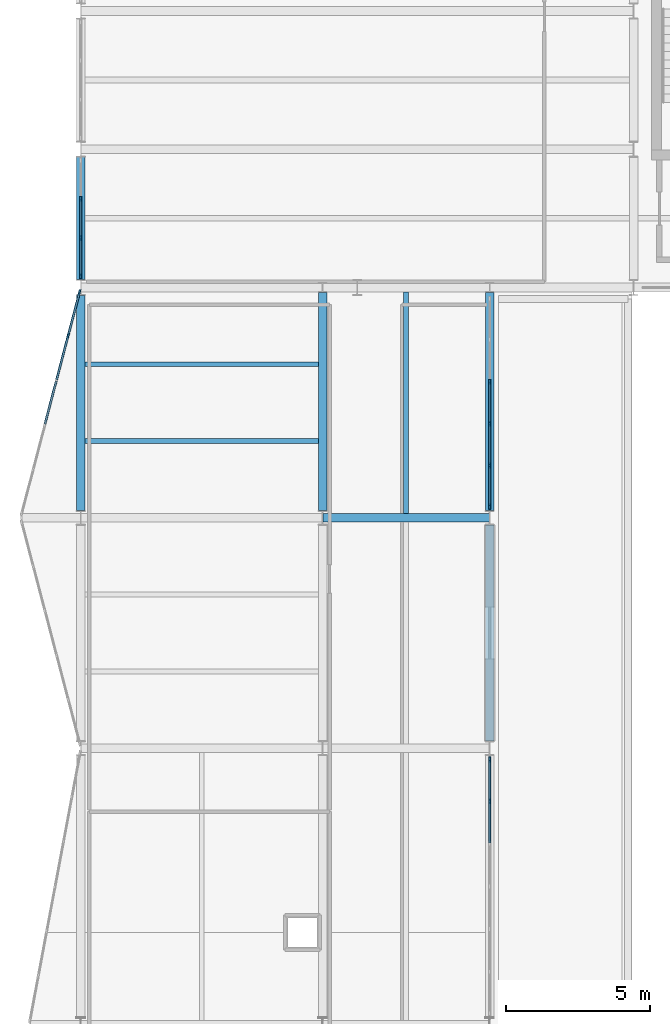
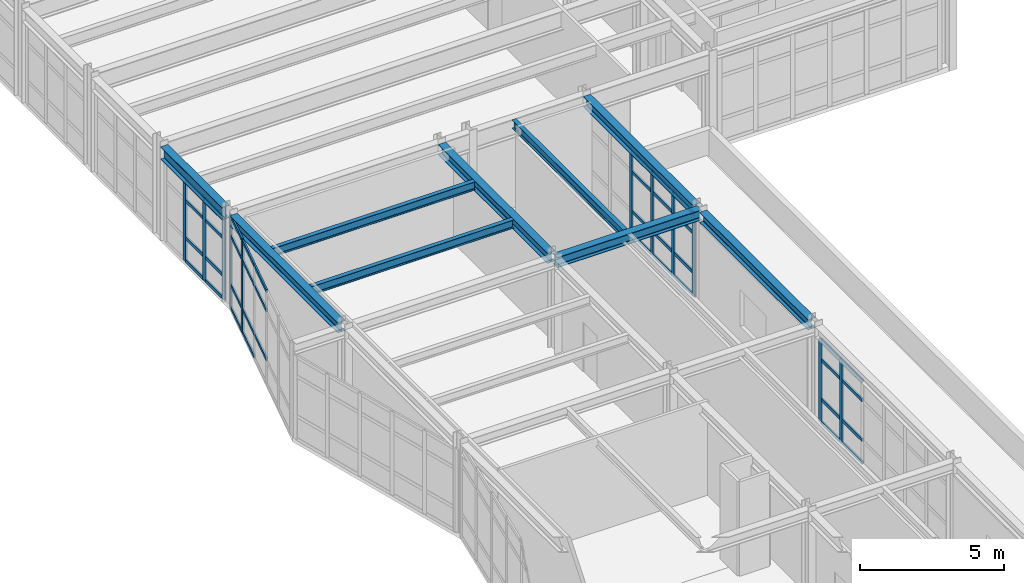
# One storey, part 21 of 64: 50 members, 9 beams, 4 elements without a shape of their own.
"""IFC4 building model written with IfcOpenShell, lengths in metres."""

from ifc_helpers import new_model, si_unit, direction, frame, origin, origin_2d, place, context, subcontext, project, spatial, rectangle, i_section, extrude, material, layer, layer_set, material_profile, profile_set, type_object, element, aggregate, save


model = new_model("IFC4")

# Units and contexts
model_context = context("Model", 3, precision=1e-05, world=origin(), true_north=direction((0.0, 1.0)))
body_context = subcontext(model_context, "Body", "Model", "MODEL_VIEW")
ifc_project = project(units=[si_unit("LENGTHUNIT", "METRE"), si_unit("AREAUNIT", "SQUARE_METRE"), si_unit("VOLUMEUNIT", "CUBIC_METRE"), si_unit("PLANEANGLEUNIT", "RADIAN"), si_unit("MASSUNIT", "GRAM", prefix="KILO")], contexts=[model_context])

# Site, building, storey
site_placement = place(None, origin())
site = spatial("IfcSite", under=ifc_project, at=site_placement, CompositionType="ELEMENT")
building_placement = place(site_placement, origin())
building = spatial("IfcBuilding", under=site, at=building_placement, Name="Nordkorset Police Headquarters", CompositionType="ELEMENT")
storey_placement = place(building_placement, frame((0.0, 0.0, 17.85009765625)))
storey = spatial("IfcBuildingStorey", under=building, at=storey_placement, Name="L04", CompositionType="ELEMENT", Elevation=17.85009765625)

# Beams
ifc_material_1 = material(Name="Steel S355J2", Category="steel")
ifc_material_profile_1 = material_profile(ifc_material_1, i_section(OverallWidth=0.169921875, OverallDepth=0.360107421875, WebThickness=0.008056640625, FlangeThickness=0.0126953125, FilletRadius=0.01806640625, at=origin_2d()), Name="IPE 360")
ifc_profile_set_1 = profile_set([ifc_material_profile_1], Name="Steel S355J2")
beam_type_1 = type_object("IfcBeamType", Name="Beam_IPE_360", PredefinedType="BEAM", material=ifc_profile_set_1)
for number, where, z_axis, x_axis, name in (
    (1, (0.14990234375, 77.86669921875, 3.804931640625), (1.0, 0.0, 0.0), (0.0, 1.0, 0.0), "Composite Floor Beam V3 L04 0-5-1"),
    (2, (0.14990234375, 80.533447265625, 3.804931640625), (1.0, 0.0, 0.0), (0.0, 1.0, 0.0), "Composite Floor Beam V3 L04 0-5-2"),
):
    element("IfcBeam", number, at=place(storey_placement, frame(where, z_axis=z_axis, x_axis=x_axis)), inside=storey, type_object=beam_type_1, Name=name, PredefinedType="BEAM", context=body_context, shape_type="SweptSolid", body=[
        extrude(i_section(OverallWidth=0.169921875, OverallDepth=0.360107421875, WebThickness=0.008056640625, FlangeThickness=0.0126953125, FilletRadius=0.01806640625, at=origin_2d()), origin(), (0.0, 0.0, 1.0), 8.10009765625),
    ])
beam_1_placement = place(storey_placement, frame((11.300048828125, 75.35009765625, 3.804931640625), z_axis=(0.0, 1.0, 0.0), x_axis=(-1.0, 0.0, 0.0)))
element("IfcBeam", 3, at=beam_1_placement, inside=storey, type_object=beam_type_1, Name="Composite Floor Beam V3 L04 1-5-1", PredefinedType="BEAM", context=body_context, shape_type="SweptSolid", body=[
    extrude(i_section(OverallWidth=0.169921875, OverallDepth=0.360107421875, WebThickness=0.008056640625, FlangeThickness=0.0126953125, FilletRadius=0.01806640625, at=origin_2d()), origin(), (0.0, 0.0, 1.0), 7.699951171875),
])

# Curtain wall, members
ifc_material_2 = material(Name="Aluminium alloy AW-6060", Category="aluminium")
ifc_layer_1 = layer(ifc_material_2, 0.179931640625, Name="Aluminium alloy AW-6060")
ifc_layer_set_1 = layer_set([ifc_layer_1], Name="Aluminium alloy AW-6060")
curtain_wall_type_1 = type_object("IfcCurtainWallType", Name="CW_Unit_408x343", PredefinedType="USERDEFINED", material=ifc_layer_set_1)
curtain_wall_1_placement = place(storey_placement, origin())
curtain_wall_1 = element("IfcCurtainWall", 4, at=curtain_wall_1_placement, inside=storey, type_object=curtain_wall_type_1, Name="Unitised Curtain Wall L04 V1W-0", ObjectType="UNITISED CURTAIN WALL", PredefinedType="USERDEFINED")
ifc_material_3 = material(Name="Aluminium alloy AW-6060", Category="aluminium")
ifc_material_profile_2 = material_profile(ifc_material_3, rectangle(XDim=0.06494140625, YDim=0.179931640625, at=origin_2d()), Name="ALU MULL 65x180")
ifc_profile_set_2 = profile_set([ifc_material_profile_2], Name="Aluminium alloy AW-6060")
member_type_1 = type_object("IfcMemberType", Name="CW_Mullion_65x180", PredefinedType="MULLION", material=ifc_profile_set_2)
member_1_placement = place(storey_placement, frame((0.0, 83.592529296875, 0.0), z_axis=(0.0, 0.0, 1.0), x_axis=(-1.0, 0.0, 0.0)))
member_1 = element("IfcMember", 5, at=member_1_placement, type_object=member_type_1, Name="CW-89 mullion 1", PredefinedType="MULLION", context=body_context, shape_type="SweptSolid", body=[
    extrude(rectangle(XDim=0.06494140625, YDim=0.179931640625, at=origin_2d()), origin(), (0.0, 0.0, 1.0), 3.429931640625),
])
member_2_placement = place(storey_placement, frame((0.0, 84.919921875, 0.0), z_axis=(0.0, 0.0, 1.0), x_axis=(-1.0, 0.0, 0.0)))
member_2 = element("IfcMember", 6, at=member_2_placement, type_object=member_type_1, Name="CW-89 mullion 2", PredefinedType="MULLION", context=body_context, shape_type="SweptSolid", body=[
    extrude(rectangle(XDim=0.06494140625, YDim=0.179931640625, at=origin_2d()), origin(), (0.0, 0.0, 1.0), 3.429931640625),
])
member_3_placement = place(storey_placement, frame((0.0, 86.280029296875, 0.0), z_axis=(0.0, 0.0, 1.0), x_axis=(-1.0, 0.0, 0.0)))
member_3 = element("IfcMember", 7, at=member_3_placement, type_object=member_type_1, Name="CW-89 mullion 3", PredefinedType="MULLION", context=body_context, shape_type="SweptSolid", body=[
    extrude(rectangle(XDim=0.06494140625, YDim=0.179931640625, at=origin_2d()), origin(), (0.0, 0.0, 1.0), 3.429931640625),
])

ifc_material_4 = material(Name="Aluminium alloy AW-6060", Category="aluminium")
ifc_layer_2 = layer(ifc_material_4, 0.179931640625, Name="Aluminium alloy AW-6060")
ifc_layer_set_2 = layer_set([ifc_layer_2], Name="Aluminium alloy AW-6060")
curtain_wall_type_2 = type_object("IfcCurtainWallType", Name="CW_Unit_888x353", PredefinedType="USERDEFINED", material=ifc_layer_set_2)
curtain_wall_2_placement = place(storey_placement, origin())
curtain_wall_2 = element("IfcCurtainWall", 8, at=curtain_wall_2_placement, inside=storey, type_object=curtain_wall_type_2, Name="Unitised Curtain Wall L04 V3E-3", ObjectType="UNITISED CURTAIN WALL", PredefinedType="USERDEFINED")
member_4_placement = place(storey_placement, frame((14.199951171875, 65.360107421875, 0.0), z_axis=(0.0, 0.0, 1.0), x_axis=(-1.0, 0.0, 0.0)))
member_4 = element("IfcMember", 9, at=member_4_placement, type_object=member_type_1, Name="CW-52 mullion 6", PredefinedType="MULLION", context=body_context, shape_type="SweptSolid", body=[
    extrude(rectangle(XDim=0.06494140625, YDim=0.179931640625, at=origin_2d()), origin(), (0.0, 0.0, 1.0), 3.52978515625),
])
member_5_placement = place(storey_placement, frame((14.199951171875, 66.8076171875, 0.0), z_axis=(0.0, 0.0, 1.0), x_axis=(-1.0, 0.0, 0.0)))
member_5 = element("IfcMember", 10, at=member_5_placement, type_object=member_type_1, Name="CW-52 mullion 7", PredefinedType="MULLION", context=body_context, shape_type="SweptSolid", body=[
    extrude(rectangle(XDim=0.06494140625, YDim=0.179931640625, at=origin_2d()), origin(), (0.0, 0.0, 1.0), 3.52978515625),
])

ifc_material_5 = material(Name="Aluminium alloy AW-6060", Category="aluminium")
ifc_layer_3 = layer(ifc_material_5, 0.179931640625, Name="Aluminium alloy AW-6060")
ifc_layer_set_3 = layer_set([ifc_layer_3], Name="Aluminium alloy AW-6060")
curtain_wall_type_3 = type_object("IfcCurtainWallType", Name="CW_Unit_799x392", PredefinedType="USERDEFINED", material=ifc_layer_set_3)
curtain_wall_3_placement = place(storey_placement, origin())
curtain_wall_3 = element("IfcCurtainWall", 11, at=curtain_wall_3_placement, inside=storey, type_object=curtain_wall_type_3, Name="Unitised Curtain Wall L04 V3W-5", ObjectType="UNITISED CURTAIN WALL", PredefinedType="USERDEFINED")
member_6_placement = place(storey_placement, frame((-0.44140625, 81.518798828125, 0.0), z_axis=(0.0, 0.0, 1.0), x_axis=(-0.967231265013, 0.25389698695, 0.0)))
member_6 = element("IfcMember", 12, at=member_6_placement, type_object=member_type_1, Name="CW-68 mullion 5", PredefinedType="MULLION", context=body_context, shape_type="SweptSolid", body=[
    extrude(rectangle(XDim=0.06494140625, YDim=0.179931640625, at=origin_2d()), origin(), (0.0, 0.0, 1.0), 3.919921875),
])
member_7_placement = place(storey_placement, frame((-0.043701171875, 83.033203125, 0.0), z_axis=(0.0, 0.0, 1.0), x_axis=(-0.967231265013, 0.25389698695, 0.0)))
member_7 = element("IfcMember", 13, at=member_7_placement, type_object=member_type_1, Name="CW-68 mullion 6", PredefinedType="MULLION", context=body_context, shape_type="SweptSolid", body=[
    extrude(rectangle(XDim=0.06494140625, YDim=0.179931640625, at=origin_2d()), origin(), (0.0, 0.0, 1.0), 3.919921875),
])

ifc_material_6 = material(Name="Aluminium alloy AW-6060", Category="aluminium")
ifc_layer_4 = layer(ifc_material_6, 0.179931640625, Name="Aluminium alloy AW-6060")
ifc_layer_set_4 = layer_set([ifc_layer_4], Name="Aluminium alloy AW-6060")
curtain_wall_type_4 = type_object("IfcCurtainWallType", Name="CW_Unit_728x352", PredefinedType="USERDEFINED", material=ifc_layer_set_4)
curtain_wall_4_placement = place(storey_placement, origin())
curtain_wall_4 = element("IfcCurtainWall", 14, at=curtain_wall_4_placement, inside=storey, type_object=curtain_wall_type_4, Name="Unitised Curtain Wall L04 V3E-5", ObjectType="UNITISED CURTAIN WALL", PredefinedType="USERDEFINED")
member_8_placement = place(storey_placement, frame((14.199951171875, 75.592529296875, 0.0), z_axis=(0.0, 0.0, 1.0), x_axis=(-1.0, 0.0, 0.0)))
member_8 = element("IfcMember", 15, at=member_8_placement, type_object=member_type_1, Name="CW-79 mullion 1", PredefinedType="MULLION", context=body_context, shape_type="SweptSolid", body=[
    extrude(rectangle(XDim=0.06494140625, YDim=0.179931640625, at=origin_2d()), origin(), (0.0, 0.0, 1.0), 3.52490234375),
])
member_9_placement = place(storey_placement, frame((14.199951171875, 77.01611328125, 0.0), z_axis=(0.0, 0.0, 1.0), x_axis=(-1.0, 0.0, 0.0)))
member_9 = element("IfcMember", 16, at=member_9_placement, type_object=member_type_1, Name="CW-79 mullion 2", PredefinedType="MULLION", context=body_context, shape_type="SweptSolid", body=[
    extrude(rectangle(XDim=0.06494140625, YDim=0.179931640625, at=origin_2d()), origin(), (0.0, 0.0, 1.0), 3.52490234375),
])
member_10_placement = place(storey_placement, frame((14.199951171875, 78.471923828125, 0.0), z_axis=(0.0, 0.0, 1.0), x_axis=(-1.0, 0.0, 0.0)))
member_10 = element("IfcMember", 17, at=member_10_placement, type_object=member_type_1, Name="CW-79 mullion 3", PredefinedType="MULLION", context=body_context, shape_type="SweptSolid", body=[
    extrude(rectangle(XDim=0.06494140625, YDim=0.179931640625, at=origin_2d()), origin(), (0.0, 0.0, 1.0), 3.52490234375),
])
member_11_placement = place(storey_placement, frame((14.199951171875, 79.927978515625, 0.0), z_axis=(0.0, 0.0, 1.0), x_axis=(-1.0, 0.0, 0.0)))
member_11 = element("IfcMember", 18, at=member_11_placement, type_object=member_type_1, Name="CW-79 mullion 4", PredefinedType="MULLION", context=body_context, shape_type="SweptSolid", body=[
    extrude(rectangle(XDim=0.06494140625, YDim=0.179931640625, at=origin_2d()), origin(), (0.0, 0.0, 1.0), 3.52490234375),
])

# Member
ifc_material_7 = material(Name="Aluminium alloy AW-6060", Category="aluminium")
ifc_material_profile_3 = material_profile(ifc_material_7, rectangle(XDim=0.06494140625, YDim=0.139892578125, at=origin_2d()), Name="ALU TRAN 65x140")
ifc_profile_set_3 = profile_set([ifc_material_profile_3], Name="Aluminium alloy AW-6060")
member_type_2 = type_object("IfcMemberType", Name="CW_Transom_65x140", PredefinedType="USERDEFINED", material=ifc_profile_set_3)
member_12_placement = place(storey_placement, frame((0.0, 83.625, 0.032470703125), z_axis=(0.0, 1.0, 0.0), x_axis=(-1.0, 0.0, 0.0)))
member_12 = element("IfcMember", 19, at=member_12_placement, type_object=member_type_2, Name="CW-89 transom 1.1", ObjectType="TRANSOM", PredefinedType="USERDEFINED", context=body_context, shape_type="SweptSolid", body=[
    extrude(rectangle(XDim=0.06494140625, YDim=0.139892578125, at=origin_2d()), origin(), (0.0, 0.0, 1.0), 1.262451171875),
])

member_13_placement = place(storey_placement, frame((0.0, 83.625, 1.0), z_axis=(0.0, 1.0, 0.0), x_axis=(-1.0, 0.0, 0.0)))
member_13 = element("IfcMember", 20, at=member_13_placement, type_object=member_type_2, Name="CW-89 transom 1.2", ObjectType="TRANSOM", PredefinedType="USERDEFINED", context=body_context, shape_type="SweptSolid", body=[
    extrude(rectangle(XDim=0.06494140625, YDim=0.139892578125, at=origin_2d()), origin(), (0.0, 0.0, 1.0), 1.262451171875),
])

member_14_placement = place(storey_placement, frame((0.0, 83.625, 2.579833984375), z_axis=(0.0, 1.0, 0.0), x_axis=(-1.0, 0.0, 0.0)))
member_14 = element("IfcMember", 21, at=member_14_placement, type_object=member_type_2, Name="CW-89 transom 1.3", ObjectType="TRANSOM", PredefinedType="USERDEFINED", context=body_context, shape_type="SweptSolid", body=[
    extrude(rectangle(XDim=0.06494140625, YDim=0.139892578125, at=origin_2d()), origin(), (0.0, 0.0, 1.0), 1.262451171875),
])

member_15_placement = place(storey_placement, frame((0.0, 83.625, 3.3974609375), z_axis=(0.0, 1.0, 0.0), x_axis=(-1.0, 0.0, 0.0)))
member_15 = element("IfcMember", 22, at=member_15_placement, type_object=member_type_2, Name="CW-89 transom 1.4", ObjectType="TRANSOM", PredefinedType="USERDEFINED", context=body_context, shape_type="SweptSolid", body=[
    extrude(rectangle(XDim=0.06494140625, YDim=0.139892578125, at=origin_2d()), origin(), (0.0, 0.0, 1.0), 1.262451171875),
])

member_16_placement = place(storey_placement, frame((0.0, 84.952392578125, 0.032470703125), z_axis=(0.0, 1.0, 0.0), x_axis=(-1.0, 0.0, 0.0)))
member_16 = element("IfcMember", 23, at=member_16_placement, type_object=member_type_2, Name="CW-89 transom 2.1", ObjectType="TRANSOM", PredefinedType="USERDEFINED", context=body_context, shape_type="SweptSolid", body=[
    extrude(rectangle(XDim=0.06494140625, YDim=0.139892578125, at=origin_2d()), origin(), (0.0, 0.0, 1.0), 1.295166015625),
])

member_17_placement = place(storey_placement, frame((0.0, 84.952392578125, 1.0), z_axis=(0.0, 1.0, 0.0), x_axis=(-1.0, 0.0, 0.0)))
member_17 = element("IfcMember", 24, at=member_17_placement, type_object=member_type_2, Name="CW-89 transom 2.2", ObjectType="TRANSOM", PredefinedType="USERDEFINED", context=body_context, shape_type="SweptSolid", body=[
    extrude(rectangle(XDim=0.06494140625, YDim=0.139892578125, at=origin_2d()), origin(), (0.0, 0.0, 1.0), 1.295166015625),
])

member_18_placement = place(storey_placement, frame((0.0, 84.952392578125, 2.579833984375), z_axis=(0.0, 1.0, 0.0), x_axis=(-1.0, 0.0, 0.0)))
member_18 = element("IfcMember", 25, at=member_18_placement, type_object=member_type_2, Name="CW-89 transom 2.3", ObjectType="TRANSOM", PredefinedType="USERDEFINED", context=body_context, shape_type="SweptSolid", body=[
    extrude(rectangle(XDim=0.06494140625, YDim=0.139892578125, at=origin_2d()), origin(), (0.0, 0.0, 1.0), 1.295166015625),
])

member_19_placement = place(storey_placement, frame((0.0, 84.952392578125, 3.3974609375), z_axis=(0.0, 1.0, 0.0), x_axis=(-1.0, 0.0, 0.0)))
member_19 = element("IfcMember", 26, at=member_19_placement, type_object=member_type_2, Name="CW-89 transom 2.4", ObjectType="TRANSOM", PredefinedType="USERDEFINED", context=body_context, shape_type="SweptSolid", body=[
    extrude(rectangle(XDim=0.06494140625, YDim=0.139892578125, at=origin_2d()), origin(), (0.0, 0.0, 1.0), 1.295166015625),
])

aggregate(curtain_wall_1, [member_1, member_2, member_3, member_12, member_13, member_14, member_15, member_16, member_17, member_18, member_19])

member_20_placement = place(storey_placement, frame((14.199951171875, 63.91259765625, 0.032470703125), z_axis=(0.0, 1.0, 0.0), x_axis=(-1.0, 0.0, 0.0)))
member_20 = element("IfcMember", 27, at=member_20_placement, type_object=member_type_2, Name="CW-52 transom 5.1", ObjectType="TRANSOM", PredefinedType="USERDEFINED", context=body_context, shape_type="SweptSolid", body=[
    extrude(rectangle(XDim=0.06494140625, YDim=0.139892578125, at=origin_2d()), origin(), (0.0, 0.0, 1.0), 1.414794921875),
])

member_21_placement = place(storey_placement, frame((14.199951171875, 63.91259765625, 1.0), z_axis=(0.0, 1.0, 0.0), x_axis=(-1.0, 0.0, 0.0)))
member_21 = element("IfcMember", 28, at=member_21_placement, type_object=member_type_2, Name="CW-52 transom 5.2", ObjectType="TRANSOM", PredefinedType="USERDEFINED", context=body_context, shape_type="SweptSolid", body=[
    extrude(rectangle(XDim=0.06494140625, YDim=0.139892578125, at=origin_2d()), origin(), (0.0, 0.0, 1.0), 1.414794921875),
])

member_22_placement = place(storey_placement, frame((14.199951171875, 63.91259765625, 2.679931640625), z_axis=(0.0, 1.0, 0.0), x_axis=(-1.0, 0.0, 0.0)))
member_22 = element("IfcMember", 29, at=member_22_placement, type_object=member_type_2, Name="CW-52 transom 5.3", ObjectType="TRANSOM", PredefinedType="USERDEFINED", context=body_context, shape_type="SweptSolid", body=[
    extrude(rectangle(XDim=0.06494140625, YDim=0.139892578125, at=origin_2d()), origin(), (0.0, 0.0, 1.0), 1.414794921875),
])

member_23_placement = place(storey_placement, frame((14.199951171875, 63.91259765625, 3.497314453125), z_axis=(0.0, 1.0, 0.0), x_axis=(-1.0, 0.0, 0.0)))
member_23 = element("IfcMember", 30, at=member_23_placement, type_object=member_type_2, Name="CW-52 transom 5.4", ObjectType="TRANSOM", PredefinedType="USERDEFINED", context=body_context, shape_type="SweptSolid", body=[
    extrude(rectangle(XDim=0.06494140625, YDim=0.139892578125, at=origin_2d()), origin(), (0.0, 0.0, 1.0), 1.414794921875),
])

member_24_placement = place(storey_placement, frame((14.199951171875, 65.392578125, 0.032470703125), z_axis=(0.0, 1.0, 0.0), x_axis=(-1.0, 0.0, 0.0)))
member_24 = element("IfcMember", 31, at=member_24_placement, type_object=member_type_2, Name="CW-52 transom 6.1", ObjectType="TRANSOM", PredefinedType="USERDEFINED", context=body_context, shape_type="SweptSolid", body=[
    extrude(rectangle(XDim=0.06494140625, YDim=0.139892578125, at=origin_2d()), origin(), (0.0, 0.0, 1.0), 1.38232421875),
])

member_25_placement = place(storey_placement, frame((14.199951171875, 65.392578125, 1.0), z_axis=(0.0, 1.0, 0.0), x_axis=(-1.0, 0.0, 0.0)))
member_25 = element("IfcMember", 32, at=member_25_placement, type_object=member_type_2, Name="CW-52 transom 6.2", ObjectType="TRANSOM", PredefinedType="USERDEFINED", context=body_context, shape_type="SweptSolid", body=[
    extrude(rectangle(XDim=0.06494140625, YDim=0.139892578125, at=origin_2d()), origin(), (0.0, 0.0, 1.0), 1.38232421875),
])

member_26_placement = place(storey_placement, frame((14.199951171875, 65.392578125, 2.679931640625), z_axis=(0.0, 1.0, 0.0), x_axis=(-1.0, 0.0, 0.0)))
member_26 = element("IfcMember", 33, at=member_26_placement, type_object=member_type_2, Name="CW-52 transom 6.3", ObjectType="TRANSOM", PredefinedType="USERDEFINED", context=body_context, shape_type="SweptSolid", body=[
    extrude(rectangle(XDim=0.06494140625, YDim=0.139892578125, at=origin_2d()), origin(), (0.0, 0.0, 1.0), 1.38232421875),
])

member_27_placement = place(storey_placement, frame((14.199951171875, 65.392578125, 3.497314453125), z_axis=(0.0, 1.0, 0.0), x_axis=(-1.0, 0.0, 0.0)))
member_27 = element("IfcMember", 34, at=member_27_placement, type_object=member_type_2, Name="CW-52 transom 6.4", ObjectType="TRANSOM", PredefinedType="USERDEFINED", context=body_context, shape_type="SweptSolid", body=[
    extrude(rectangle(XDim=0.06494140625, YDim=0.139892578125, at=origin_2d()), origin(), (0.0, 0.0, 1.0), 1.38232421875),
])

aggregate(curtain_wall_2, [member_4, member_5, member_20, member_21, member_22, member_23, member_24, member_25, member_26, member_27])

member_28_placement = place(storey_placement, frame((-1.24462890625, 78.45849609375, 1.0), z_axis=(0.253834812056, 0.967247583708, 0.0), x_axis=(-0.967247583708, 0.253834812056, 0.0)))
member_28 = element("IfcMember", 35, at=member_28_placement, type_object=member_type_2, Name="CW-68 transom 3.2", ObjectType="TRANSOM", PredefinedType="USERDEFINED", context=body_context, shape_type="SweptSolid", body=[
    extrude(rectangle(XDim=0.06494140625, YDim=0.139892578125, at=origin_2d()), origin(), (0.0, 0.0, 1.0), 1.533203125),
])

member_29_placement = place(storey_placement, frame((-1.24462890625, 78.45849609375, 3.06982421875), z_axis=(0.253834812056, 0.967247583708, 0.0), x_axis=(-0.967247583708, 0.253834812056, 0.0)))
member_29 = element("IfcMember", 36, at=member_29_placement, type_object=member_type_2, Name="CW-68 transom 3.3", ObjectType="TRANSOM", PredefinedType="USERDEFINED", context=body_context, shape_type="SweptSolid", body=[
    extrude(rectangle(XDim=0.06494140625, YDim=0.139892578125, at=origin_2d()), origin(), (0.0, 0.0, 1.0), 1.533203125),
])

member_30_placement = place(storey_placement, frame((-1.24462890625, 78.45849609375, 3.887451171875), z_axis=(0.253834812056, 0.967247583708, 0.0), x_axis=(-0.967247583708, 0.253834812056, 0.0)))
member_30 = element("IfcMember", 37, at=member_30_placement, type_object=member_type_2, Name="CW-68 transom 3.4", ObjectType="TRANSOM", PredefinedType="USERDEFINED", context=body_context, shape_type="SweptSolid", body=[
    extrude(rectangle(XDim=0.06494140625, YDim=0.139892578125, at=origin_2d()), origin(), (0.0, 0.0, 1.0), 1.533203125),
])

member_31_placement = place(storey_placement, frame((-0.8388671875, 80.00439453125, 0.032470703125), z_axis=(0.253983786522, 0.967208476071, 0.0), x_axis=(-0.967208476071, 0.253983786522, 0.0)))
member_31 = element("IfcMember", 38, at=member_31_placement, type_object=member_type_2, Name="CW-68 transom 4.1", ObjectType="TRANSOM", PredefinedType="USERDEFINED", context=body_context, shape_type="SweptSolid", body=[
    extrude(rectangle(XDim=0.06494140625, YDim=0.139892578125, at=origin_2d()), origin(), (0.0, 0.0, 1.0), 1.533203125),
])

member_32_placement = place(storey_placement, frame((-0.8388671875, 80.00439453125, 1.0), z_axis=(0.253983786522, 0.967208476071, 0.0), x_axis=(-0.967208476071, 0.253983786522, 0.0)))
member_32 = element("IfcMember", 39, at=member_32_placement, type_object=member_type_2, Name="CW-68 transom 4.2", ObjectType="TRANSOM", PredefinedType="USERDEFINED", context=body_context, shape_type="SweptSolid", body=[
    extrude(rectangle(XDim=0.06494140625, YDim=0.139892578125, at=origin_2d()), origin(), (0.0, 0.0, 1.0), 1.533203125),
])

member_33_placement = place(storey_placement, frame((-0.8388671875, 80.00439453125, 3.06982421875), z_axis=(0.253983786522, 0.967208476071, 0.0), x_axis=(-0.967208476071, 0.253983786522, 0.0)))
member_33 = element("IfcMember", 40, at=member_33_placement, type_object=member_type_2, Name="CW-68 transom 4.3", ObjectType="TRANSOM", PredefinedType="USERDEFINED", context=body_context, shape_type="SweptSolid", body=[
    extrude(rectangle(XDim=0.06494140625, YDim=0.139892578125, at=origin_2d()), origin(), (0.0, 0.0, 1.0), 1.533203125),
])

member_34_placement = place(storey_placement, frame((-0.8388671875, 80.00439453125, 3.887451171875), z_axis=(0.253983786522, 0.967208476071, 0.0), x_axis=(-0.967208476071, 0.253983786522, 0.0)))
member_34 = element("IfcMember", 41, at=member_34_placement, type_object=member_type_2, Name="CW-68 transom 4.4", ObjectType="TRANSOM", PredefinedType="USERDEFINED", context=body_context, shape_type="SweptSolid", body=[
    extrude(rectangle(XDim=0.06494140625, YDim=0.139892578125, at=origin_2d()), origin(), (0.0, 0.0, 1.0), 1.533203125),
])

member_35_placement = place(storey_placement, frame((-0.43310546875, 81.55029296875, 0.032470703125), z_axis=(0.253964717796, 0.967213483216, 0.0), x_axis=(-0.967213483216, 0.253964717796, 0.0)))
member_35 = element("IfcMember", 42, at=member_35_placement, type_object=member_type_2, Name="CW-68 transom 5.1", ObjectType="TRANSOM", PredefinedType="USERDEFINED", context=body_context, shape_type="SweptSolid", body=[
    extrude(rectangle(XDim=0.06494140625, YDim=0.139892578125, at=origin_2d()), origin(), (0.0, 0.0, 1.0), 1.500732421875),
])

member_36_placement = place(storey_placement, frame((-0.43310546875, 81.55029296875, 1.0), z_axis=(0.253964717796, 0.967213483216, 0.0), x_axis=(-0.967213483216, 0.253964717796, 0.0)))
member_36 = element("IfcMember", 43, at=member_36_placement, type_object=member_type_2, Name="CW-68 transom 5.2", ObjectType="TRANSOM", PredefinedType="USERDEFINED", context=body_context, shape_type="SweptSolid", body=[
    extrude(rectangle(XDim=0.06494140625, YDim=0.139892578125, at=origin_2d()), origin(), (0.0, 0.0, 1.0), 1.500732421875),
])

member_37_placement = place(storey_placement, frame((-0.43310546875, 81.55029296875, 3.06982421875), z_axis=(0.253964717796, 0.967213483216, 0.0), x_axis=(-0.967213483216, 0.253964717796, 0.0)))
member_37 = element("IfcMember", 44, at=member_37_placement, type_object=member_type_2, Name="CW-68 transom 5.3", ObjectType="TRANSOM", PredefinedType="USERDEFINED", context=body_context, shape_type="SweptSolid", body=[
    extrude(rectangle(XDim=0.06494140625, YDim=0.139892578125, at=origin_2d()), origin(), (0.0, 0.0, 1.0), 1.500732421875),
])

member_38_placement = place(storey_placement, frame((-0.43310546875, 81.55029296875, 3.887451171875), z_axis=(0.253964717796, 0.967213483216, 0.0), x_axis=(-0.967213483216, 0.253964717796, 0.0)))
member_38 = element("IfcMember", 45, at=member_38_placement, type_object=member_type_2, Name="CW-68 transom 5.4", ObjectType="TRANSOM", PredefinedType="USERDEFINED", context=body_context, shape_type="SweptSolid", body=[
    extrude(rectangle(XDim=0.06494140625, YDim=0.139892578125, at=origin_2d()), origin(), (0.0, 0.0, 1.0), 1.500732421875),
])

aggregate(curtain_wall_3, [member_6, member_7, member_28, member_29, member_30, member_31, member_32, member_33, member_34, member_35, member_36, member_37, member_38])

member_39_placement = place(storey_placement, frame((14.199951171875, 75.625, 0.032470703125), z_axis=(0.0, 1.0, 0.0), x_axis=(-1.0, 0.0, 0.0)))
member_39 = element("IfcMember", 46, at=member_39_placement, type_object=member_type_2, Name="CW-79 transom 1.1", ObjectType="TRANSOM", PredefinedType="USERDEFINED", context=body_context, shape_type="SweptSolid", body=[
    extrude(rectangle(XDim=0.06494140625, YDim=0.139892578125, at=origin_2d()), origin(), (0.0, 0.0, 1.0), 1.3583984375),
])

member_40_placement = place(storey_placement, frame((14.199951171875, 75.625, 1.0), z_axis=(0.0, 1.0, 0.0), x_axis=(-1.0, 0.0, 0.0)))
member_40 = element("IfcMember", 47, at=member_40_placement, type_object=member_type_2, Name="CW-79 transom 1.2", ObjectType="TRANSOM", PredefinedType="USERDEFINED", context=body_context, shape_type="SweptSolid", body=[
    extrude(rectangle(XDim=0.06494140625, YDim=0.139892578125, at=origin_2d()), origin(), (0.0, 0.0, 1.0), 1.3583984375),
])

member_41_placement = place(storey_placement, frame((14.199951171875, 75.625, 2.6748046875), z_axis=(0.0, 1.0, 0.0), x_axis=(-1.0, 0.0, 0.0)))
member_41 = element("IfcMember", 48, at=member_41_placement, type_object=member_type_2, Name="CW-79 transom 1.3", ObjectType="TRANSOM", PredefinedType="USERDEFINED", context=body_context, shape_type="SweptSolid", body=[
    extrude(rectangle(XDim=0.06494140625, YDim=0.139892578125, at=origin_2d()), origin(), (0.0, 0.0, 1.0), 1.3583984375),
])

member_42_placement = place(storey_placement, frame((14.199951171875, 75.625, 3.492431640625), z_axis=(0.0, 1.0, 0.0), x_axis=(-1.0, 0.0, 0.0)))
member_42 = element("IfcMember", 49, at=member_42_placement, type_object=member_type_2, Name="CW-79 transom 1.4", ObjectType="TRANSOM", PredefinedType="USERDEFINED", context=body_context, shape_type="SweptSolid", body=[
    extrude(rectangle(XDim=0.06494140625, YDim=0.139892578125, at=origin_2d()), origin(), (0.0, 0.0, 1.0), 1.3583984375),
])

member_43_placement = place(storey_placement, frame((14.199951171875, 77.048583984375, 0.032470703125), z_axis=(0.0, 1.0, 0.0), x_axis=(-1.0, 0.0, 0.0)))
member_43 = element("IfcMember", 50, at=member_43_placement, type_object=member_type_2, Name="CW-79 transom 2.1", ObjectType="TRANSOM", PredefinedType="USERDEFINED", context=body_context, shape_type="SweptSolid", body=[
    extrude(rectangle(XDim=0.06494140625, YDim=0.139892578125, at=origin_2d()), origin(), (0.0, 0.0, 1.0), 1.390869140625),
])

member_44_placement = place(storey_placement, frame((14.199951171875, 77.048583984375, 1.0), z_axis=(0.0, 1.0, 0.0), x_axis=(-1.0, 0.0, 0.0)))
member_44 = element("IfcMember", 51, at=member_44_placement, type_object=member_type_2, Name="CW-79 transom 2.2", ObjectType="TRANSOM", PredefinedType="USERDEFINED", context=body_context, shape_type="SweptSolid", body=[
    extrude(rectangle(XDim=0.06494140625, YDim=0.139892578125, at=origin_2d()), origin(), (0.0, 0.0, 1.0), 1.390869140625),
])

member_45_placement = place(storey_placement, frame((14.199951171875, 77.048583984375, 2.6748046875), z_axis=(0.0, 1.0, 0.0), x_axis=(-1.0, 0.0, 0.0)))
member_45 = element("IfcMember", 52, at=member_45_placement, type_object=member_type_2, Name="CW-79 transom 2.3", ObjectType="TRANSOM", PredefinedType="USERDEFINED", context=body_context, shape_type="SweptSolid", body=[
    extrude(rectangle(XDim=0.06494140625, YDim=0.139892578125, at=origin_2d()), origin(), (0.0, 0.0, 1.0), 1.390869140625),
])

member_46_placement = place(storey_placement, frame((14.199951171875, 77.048583984375, 3.492431640625), z_axis=(0.0, 1.0, 0.0), x_axis=(-1.0, 0.0, 0.0)))
member_46 = element("IfcMember", 53, at=member_46_placement, type_object=member_type_2, Name="CW-79 transom 2.4", ObjectType="TRANSOM", PredefinedType="USERDEFINED", context=body_context, shape_type="SweptSolid", body=[
    extrude(rectangle(XDim=0.06494140625, YDim=0.139892578125, at=origin_2d()), origin(), (0.0, 0.0, 1.0), 1.390869140625),
])

member_47_placement = place(storey_placement, frame((14.199951171875, 78.50439453125, 0.032470703125), z_axis=(0.0, 1.0, 0.0), x_axis=(-1.0, 0.0, 0.0)))
member_47 = element("IfcMember", 54, at=member_47_placement, type_object=member_type_2, Name="CW-79 transom 3.1", ObjectType="TRANSOM", PredefinedType="USERDEFINED", context=body_context, shape_type="SweptSolid", body=[
    extrude(rectangle(XDim=0.06494140625, YDim=0.139892578125, at=origin_2d()), origin(), (0.0, 0.0, 1.0), 1.39111328125),
])

member_48_placement = place(storey_placement, frame((14.199951171875, 78.50439453125, 1.0), z_axis=(0.0, 1.0, 0.0), x_axis=(-1.0, 0.0, 0.0)))
member_48 = element("IfcMember", 55, at=member_48_placement, type_object=member_type_2, Name="CW-79 transom 3.2", ObjectType="TRANSOM", PredefinedType="USERDEFINED", context=body_context, shape_type="SweptSolid", body=[
    extrude(rectangle(XDim=0.06494140625, YDim=0.139892578125, at=origin_2d()), origin(), (0.0, 0.0, 1.0), 1.39111328125),
])

member_49_placement = place(storey_placement, frame((14.199951171875, 78.50439453125, 2.6748046875), z_axis=(0.0, 1.0, 0.0), x_axis=(-1.0, 0.0, 0.0)))
member_49 = element("IfcMember", 56, at=member_49_placement, type_object=member_type_2, Name="CW-79 transom 3.3", ObjectType="TRANSOM", PredefinedType="USERDEFINED", context=body_context, shape_type="SweptSolid", body=[
    extrude(rectangle(XDim=0.06494140625, YDim=0.139892578125, at=origin_2d()), origin(), (0.0, 0.0, 1.0), 1.39111328125),
])

member_50_placement = place(storey_placement, frame((14.199951171875, 78.50439453125, 3.492431640625), z_axis=(0.0, 1.0, 0.0), x_axis=(-1.0, 0.0, 0.0)))
member_50 = element("IfcMember", 57, at=member_50_placement, type_object=member_type_2, Name="CW-79 transom 3.4", ObjectType="TRANSOM", PredefinedType="USERDEFINED", context=body_context, shape_type="SweptSolid", body=[
    extrude(rectangle(XDim=0.06494140625, YDim=0.139892578125, at=origin_2d()), origin(), (0.0, 0.0, 1.0), 1.39111328125),
])

aggregate(curtain_wall_4, [member_8, member_9, member_10, member_11, member_39, member_40, member_41, member_42, member_43, member_44, member_45, member_46, member_47, member_48, member_49, member_50])

# Beams
ifc_material_8 = material(Name="Steel S355J2", Category="steel")
ifc_material_profile_4 = material_profile(ifc_material_8, i_section(OverallWidth=0.300048828125, OverallDepth=0.43994140625, WebThickness=0.011474609375, FlangeThickness=0.02099609375, FilletRadius=0.027099609375, at=origin_2d()), Name="HEA 450")
ifc_profile_set_4 = profile_set([ifc_material_profile_4], Name="Steel S355J2")
beam_type_2 = type_object("IfcBeamType", Name="Girder_HEA_450", PredefinedType="USERDEFINED", material=ifc_profile_set_4)
beam_2_placement = place(storey_placement, frame((8.4072265625, 75.199951171875, 3.764892578125), z_axis=(1.0, 0.0, 0.0), x_axis=(0.0, 1.0, 0.0)))
element("IfcBeam", 58, at=beam_2_placement, inside=storey, type_object=beam_type_2, Name="Girder V3 L04 GX-5-1", ObjectType="GIRDER", PredefinedType="USERDEFINED", context=body_context, shape_type="SweptSolid", body=[
    extrude(i_section(OverallWidth=0.300048828125, OverallDepth=0.43994140625, WebThickness=0.011474609375, FlangeThickness=0.02099609375, FilletRadius=0.027099609375, at=origin_2d()), origin(), (0.0, 0.0, 1.0), 5.785400390625),
])
beam_3_placement = place(storey_placement, frame((0.0, 75.449951171875, 3.764892578125), z_axis=(0.0, 1.0, 0.0), x_axis=(-1.0, 0.0, 0.0)))
element("IfcBeam", 59, at=beam_3_placement, inside=storey, type_object=beam_type_2, Name="Girder V3 L04 GY-0-5", ObjectType="GIRDER", PredefinedType="USERDEFINED", context=body_context, shape_type="SweptSolid", body=[
    extrude(i_section(OverallWidth=0.300048828125, OverallDepth=0.43994140625, WebThickness=0.011474609375, FlangeThickness=0.02099609375, FilletRadius=0.027099609375, at=origin_2d()), origin(), (0.0, 0.0, 1.0), 7.47509765625),
])
beam_4_placement = place(storey_placement, frame((8.39990234375, 75.449951171875, 3.764892578125), z_axis=(0.0, 1.0, 0.0), x_axis=(-1.0, 0.0, 0.0)))
element("IfcBeam", 60, at=beam_4_placement, inside=storey, type_object=beam_type_2, Name="Girder V3 L04 GY-1-5", ObjectType="GIRDER", PredefinedType="USERDEFINED", context=body_context, shape_type="SweptSolid", body=[
    extrude(i_section(OverallWidth=0.300048828125, OverallDepth=0.43994140625, WebThickness=0.011474609375, FlangeThickness=0.02099609375, FilletRadius=0.027099609375, at=origin_2d()), origin(), (0.0, 0.0, 1.0), 7.580078125),
])
beam_5_placement = place(storey_placement, frame((14.199951171875, 67.449951171875, 3.77001953125), z_axis=(0.0, 1.0, 0.0), x_axis=(-1.0, 0.0, 0.0)))
element("IfcBeam", 61, at=beam_5_placement, inside=storey, type_object=beam_type_2, Name="Girder V3 L04 GY-2-4", ObjectType="GIRDER", PredefinedType="USERDEFINED", context=body_context, shape_type="SweptSolid", body=[
    extrude(i_section(OverallWidth=0.300048828125, OverallDepth=0.43994140625, WebThickness=0.011474609375, FlangeThickness=0.02099609375, FilletRadius=0.027099609375, at=origin_2d()), origin(), (0.0, 0.0, 1.0), 7.5),
])
beam_6_placement = place(storey_placement, frame((14.199951171875, 75.449951171875, 3.764892578125), z_axis=(0.0, 1.0, 0.0), x_axis=(-1.0, 0.0, 0.0)))
element("IfcBeam", 62, at=beam_6_placement, inside=storey, type_object=beam_type_2, Name="Girder V3 L04 GY-2-5", ObjectType="GIRDER", PredefinedType="USERDEFINED", context=body_context, shape_type="SweptSolid", body=[
    extrude(i_section(OverallWidth=0.300048828125, OverallDepth=0.43994140625, WebThickness=0.011474609375, FlangeThickness=0.02099609375, FilletRadius=0.027099609375, at=origin_2d()), origin(), (0.0, 0.0, 1.0), 7.580078125),
])
ifc_material_9 = material(Name="Steel S355J2", Category="steel")
ifc_material_profile_5 = material_profile(ifc_material_9, i_section(OverallWidth=0.300048828125, OverallDepth=0.5400390625, WebThickness=0.012451171875, FlangeThickness=0.02392578125, FilletRadius=0.027099609375, at=origin_2d()), Name="HEA 550")
ifc_profile_set_5 = profile_set([ifc_material_profile_5], Name="Steel S355J2")
beam_type_3 = type_object("IfcBeamType", Name="Girder_HEA_550", PredefinedType="USERDEFINED", material=ifc_profile_set_5)
beam_7_placement = place(storey_placement, frame((0.0, 83.47509765625, 3.719970703125), z_axis=(0.0, 1.0, 0.0), x_axis=(-1.0, 0.0, 0.0)))
element("IfcBeam", 63, at=beam_7_placement, inside=storey, type_object=beam_type_3, Name="Girder V1 L04 GY-0-0", ObjectType="GIRDER", PredefinedType="USERDEFINED", context=body_context, shape_type="SweptSolid", body=[
    extrude(i_section(OverallWidth=0.300048828125, OverallDepth=0.5400390625, WebThickness=0.012451171875, FlangeThickness=0.02392578125, FilletRadius=0.027099609375, at=origin_2d()), origin(), (0.0, 0.0, 1.0), 4.25),
])

save(model, "model.ifc")
